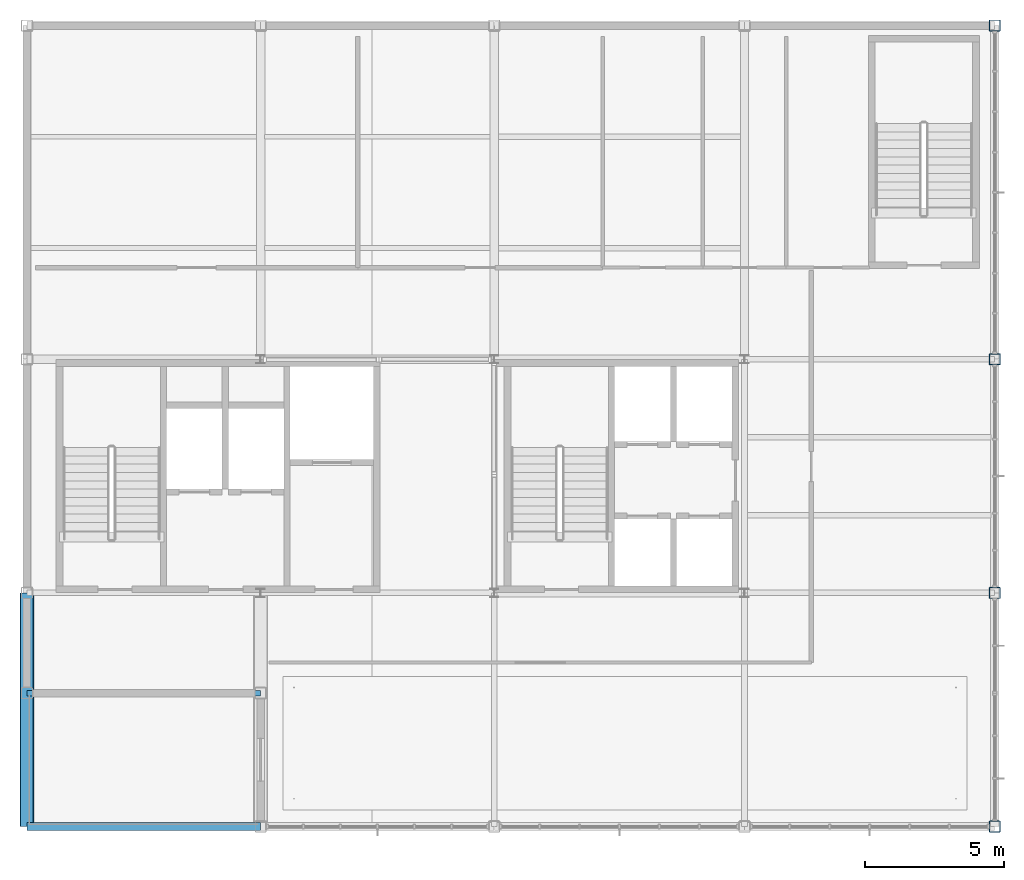
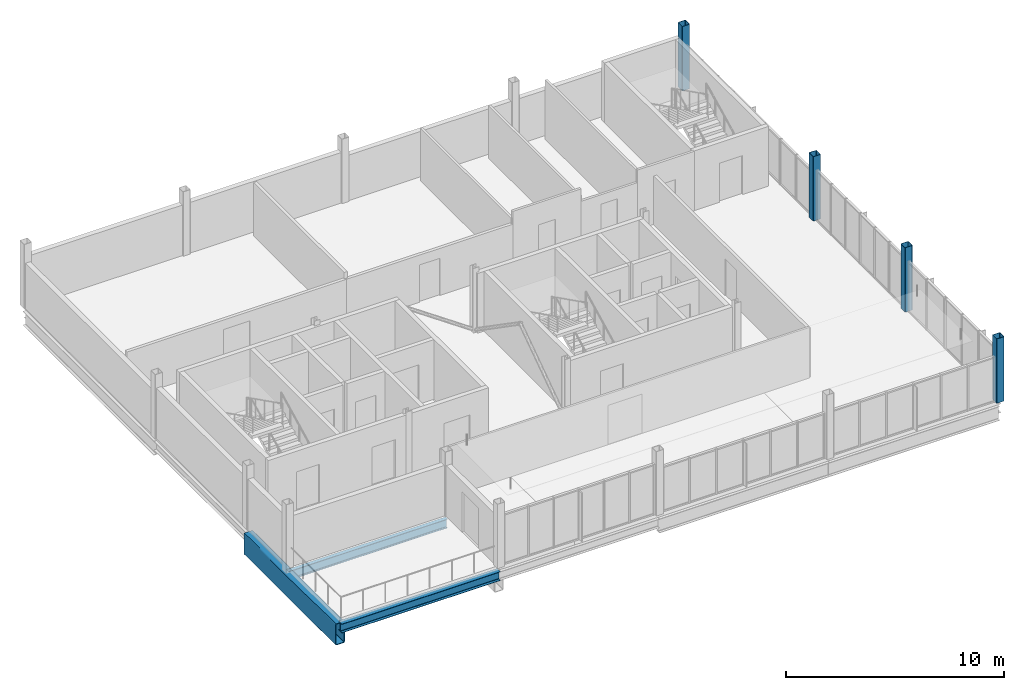
# One storey, part 3 of 17: 4 columns, 3 beams.
"""IFC4 building model written with IfcOpenShell, lengths in metres."""

from ifc_helpers import new_model, si_unit, direction, frame, origin, origin_2d, place, context, subcontext, project, spatial, hollow_rectangle, i_section, extrude, material, material_profile, profile_set, type_object, element, save


model = new_model("IFC4")

# Units and contexts
model_context = context("Model", 3, precision=1e-05, world=origin(), true_north=direction((0.0, 1.0)))
body_context = subcontext(model_context, "Body", "Model", "MODEL_VIEW")
ifc_project = project(units=[si_unit("LENGTHUNIT", "METRE"), si_unit("AREAUNIT", "SQUARE_METRE"), si_unit("VOLUMEUNIT", "CUBIC_METRE"), si_unit("PLANEANGLEUNIT", "RADIAN"), si_unit("MASSUNIT", "GRAM", prefix="KILO")], contexts=[model_context])

# Site, building, storey
site_placement = place(None, origin())
site = spatial("IfcSite", under=ifc_project, at=site_placement, CompositionType="ELEMENT")
building_placement = place(site_placement, origin())
building = spatial("IfcBuilding", under=site, at=building_placement, Name="Yukiwa Park Conservatory and Herbarium", CompositionType="ELEMENT")
storey_placement = place(building_placement, frame((0.0, 0.0, 57.60009765625)))
storey = spatial("IfcBuildingStorey", under=building, at=storey_placement, Name="L15", CompositionType="ELEMENT", Elevation=57.60009765625)

# Columns
ifc_material_1 = material(Name="Steel Q355D", Category="steel")
ifc_material_profile_1 = material_profile(ifc_material_1, hollow_rectangle(XDim=0.39990234375, YDim=0.39990234375, WallThickness=0.01611328125, InnerFilletRadius=0.01611328125, OuterFilletRadius=0.031982421875, at=origin_2d()), Name="BOX 400x400x16")
ifc_profile_set_1 = profile_set([ifc_material_profile_1], Name="Steel Q355D")
column_type = type_object("IfcColumnType", Name="COL-TW-BOX400-EXT", PredefinedType="COLUMN", material=ifc_profile_set_1)
for number, where, z_axis, x_axis, name in (
    (1, (168.0, 86.39990234375, 0.0), (0.0, 0.0, 1.0), (1.0, 0.0, 0.0), "L15 column V5-X1680-Y864"),
    (2, (168.0, 94.800048828125, 0.0), (0.0, 0.0, 1.0), (1.0, 0.0, 0.0), "L15 column V5-X1680-Y948"),
    (3, (168.0, 103.199951171875, 0.0), (0.0, 0.0, 1.0), (1.0, 0.0, 0.0), "L15 column V5-X1680-Y1032"),
    (4, (168.0, 115.199951171875, 0.0), (0.0, 0.0, 1.0), (1.0, 0.0, 0.0), "L15 column V5-X1680-Y1152"),
):
    element("IfcColumn", number, at=place(storey_placement, frame(where, z_axis=z_axis, x_axis=x_axis)), inside=storey, type_object=column_type, Name=name, PredefinedType="COLUMN", context=body_context, shape_type="SweptSolid", body=[
        extrude(hollow_rectangle(XDim=0.39990234375, YDim=0.39990234375, WallThickness=0.01611328125, InnerFilletRadius=0.01611328125, OuterFilletRadius=0.031982421875, at=origin_2d()), origin(), (0.0, 0.0, 1.0), 3.599853515625),
    ])

# Beams
ifc_material_2 = material(Name="Steel Q355D", Category="steel")
ifc_material_profile_2 = material_profile(ifc_material_2, i_section(OverallWidth=0.199951171875, OverallDepth=0.5, WebThickness=0.010009765625, FlangeThickness=0.01611328125, FilletRadius=0.02001953125, at=origin_2d()), Name="HN 500x200x10x16")
ifc_profile_set_2 = profile_set([ifc_material_profile_2], Name="Steel Q355D")
beam_type_1 = type_object("IfcBeamType", Name="BM-GRD-HN500", PredefinedType="BEAM", material=ifc_profile_set_2)
beam_1_placement = place(storey_placement, frame((133.2060546875, 91.199951171875, -0.506103515625), z_axis=(1.0, 0.0, 0.0), x_axis=(0.0, 1.0, 0.0)))
element("IfcBeam", 5, at=beam_1_placement, inside=storey, type_object=beam_type_1, Name="L15 grid beam X-5", PredefinedType="BEAM", context=body_context, shape_type="SweptSolid", body=[
    extrude(i_section(OverallWidth=0.199951171875, OverallDepth=0.5, WebThickness=0.010009765625, FlangeThickness=0.01611328125, FilletRadius=0.02001953125, at=origin_2d()), origin(), (0.0, 0.0, 1.0), 8.387939453125),
])
ifc_material_3 = material(Name="Steel Q355D", Category="steel")
ifc_material_profile_3 = material_profile(ifc_material_3, i_section(OverallWidth=0.300048828125, OverallDepth=0.5, WebThickness=0.010986328125, FlangeThickness=0.01806640625, FilletRadius=0.02392578125, at=origin_2d()), Name="HM 500x300x11x18")
ifc_profile_set_3 = profile_set([ifc_material_profile_3], Name="Steel Q355D")
beam_type_2 = type_object("IfcBeamType", Name="BM-SPN-HN500", PredefinedType="SPANDREL", material=ifc_profile_set_3)
beam_2_placement = place(storey_placement, frame((133.2060546875, 86.39990234375, -0.506103515625), z_axis=(1.0, 0.0, 0.0), x_axis=(0.0, 1.0, 0.0)))
element("IfcBeam", 6, at=beam_2_placement, inside=storey, type_object=beam_type_2, Name="L15 spandrel beam X-1", PredefinedType="SPANDREL", context=body_context, shape_type="SweptSolid", body=[
    extrude(i_section(OverallWidth=0.300048828125, OverallDepth=0.5, WebThickness=0.010986328125, FlangeThickness=0.01806640625, FilletRadius=0.02392578125, at=origin_2d()), origin(), (0.0, 0.0, 1.0), 8.387939453125),
])
ifc_material_4 = material(Name="Steel Q355D", Category="steel")
ifc_material_profile_4 = material_profile(ifc_material_4, hollow_rectangle(XDim=0.5, YDim=1.199951171875, WallThickness=0.031982421875, InnerFilletRadius=0.031982421875, OuterFilletRadius=0.06396484375, at=origin_2d()), Name="BOX 1200x500x32")
ifc_profile_set_4 = profile_set([ifc_material_profile_4], Name="Steel Q355D")
beam_type_3 = type_object("IfcBeamType", Name="BM-TG2-1200", PredefinedType="BEAM", material=ifc_profile_set_4)
beam_3_placement = place(storey_placement, frame((133.199951171875, 86.406005859375, -0.856201171875), z_axis=(0.0, 1.0, 0.0), x_axis=(-1.0, 0.0, 0.0)))
element("IfcBeam", 7, at=beam_3_placement, inside=storey, type_object=beam_type_3, Name="Transfer girder TG-2.L15.1 at L15 observation terrace", PredefinedType="BEAM", context=body_context, shape_type="SweptSolid", body=[
    extrude(hollow_rectangle(XDim=0.5, YDim=1.199951171875, WallThickness=0.031982421875, InnerFilletRadius=0.031982421875, OuterFilletRadius=0.06396484375, at=origin_2d()), origin(), (0.0, 0.0, 1.0), 8.387939453125),
])

save(model, "model.ifc")
